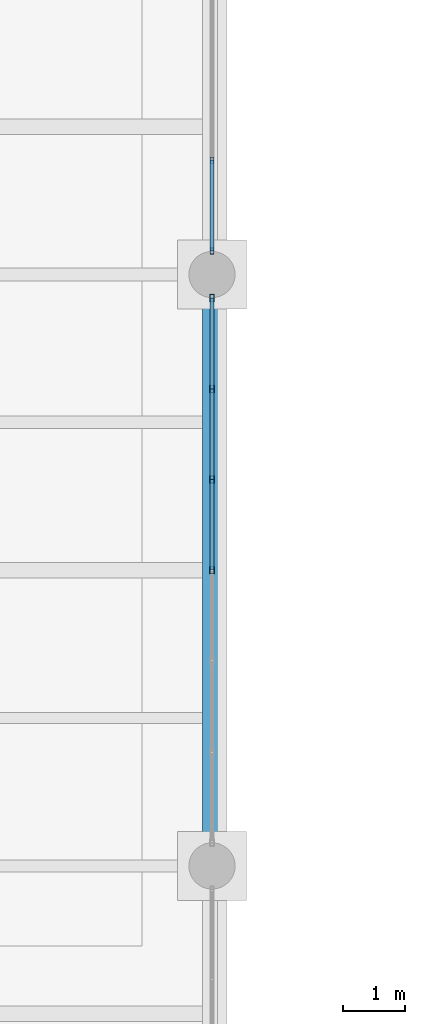
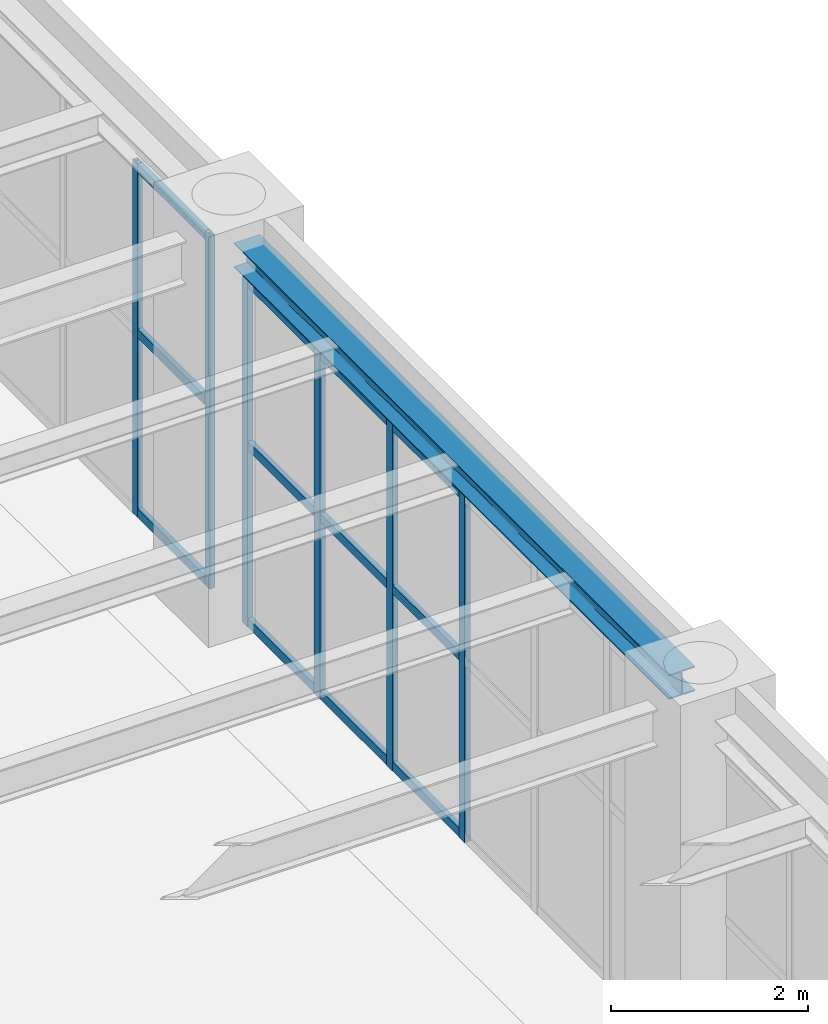
# One storey, part 52 of 174: 18 members, 1 beam, 2 elements without a shape of their own.
"""IFC4 building model written with IfcOpenShell, lengths in metres."""

from ifc_helpers import new_model, si_unit, direction, frame, origin, origin_2d, place, context, subcontext, project, spatial, hollow_rectangle, i_section, extrude, material, material_profile, profile_set, type_object, element, aggregate, save


model = new_model("IFC4")

# Units and contexts
model_context = context("Model", 3, precision=1e-05, world=origin(), true_north=direction((0.0, 1.0)))
body_context = subcontext(model_context, "Body", "Model", "MODEL_VIEW")
ifc_project = project(units=[si_unit("LENGTHUNIT", "METRE"), si_unit("AREAUNIT", "SQUARE_METRE"), si_unit("VOLUMEUNIT", "CUBIC_METRE"), si_unit("PLANEANGLEUNIT", "RADIAN"), si_unit("MASSUNIT", "GRAM", prefix="KILO")], contexts=[model_context])

# Site, building, storey
site_placement = place(None, origin())
site = spatial("IfcSite", under=ifc_project, at=site_placement, CompositionType="ELEMENT")
building_placement = place(site_placement, origin())
building = spatial("IfcBuilding", under=site, at=building_placement, Name="Mavantir Sound Aquarium", CompositionType="ELEMENT")
storey_placement = place(building_placement, frame((0.0, 0.0, 5.39990234375)))
storey = spatial("IfcBuildingStorey", under=building, at=storey_placement, Name="L01", CompositionType="ELEMENT", Elevation=5.39990234375)

# Beam
ifc_material_1 = material(Name="Structural Steel ASTM A992 Gr50", Category="steel")
ifc_material_profile_1 = material_profile(ifc_material_1, i_section(OverallWidth=0.304931640625, OverallDepth=0.30810546875, WebThickness=0.010009765625, FlangeThickness=0.015380859375, FilletRadius=0.014892578125, at=origin_2d()), Name="W310X97")
ifc_profile_set_1 = profile_set([ifc_material_profile_1], Name="Structural Steel ASTM A992 Gr50")
beam_type = type_object("IfcBeamType", Name="BM-W310X97-E", PredefinedType="SPANDREL", material=ifc_profile_set_1)
beam_placement = place(storey_placement, frame((64.800048828125, 50.77490234375, 4.6220703125), z_axis=(0.0, 1.0, 0.0), x_axis=(-1.0, 0.0, 0.0)))
element("IfcBeam", 1, at=beam_placement, inside=storey, type_object=beam_type, Name="L01 primary girder SS-31A 1204", PredefinedType="SPANDREL", context=body_context, shape_type="SweptSolid", body=[
    extrude(i_section(OverallWidth=0.304931640625, OverallDepth=0.30810546875, WebThickness=0.010009765625, FlangeThickness=0.015380859375, FilletRadius=0.014892578125, at=origin_2d()), origin(), (0.0, 0.0, 1.0), 8.85009765625),
])

# Curtain wall, members
ifc_material_2 = material(Name="Anodised Marine Aluminium and Low-E Glass", Category="aluminium")
curtain_wall_type_1 = type_object("IfcCurtainWallType", Name="CW-T09", PredefinedType="USERDEFINED", material=ifc_material_2)
curtain_wall_1_placement = place(storey_placement, origin())
curtain_wall_1 = element("IfcCurtainWall", 2, at=curtain_wall_1_placement, inside=storey, type_object=curtain_wall_type_1, Name="L01 unitised curtain wall CW-09 57", ObjectType="UNITISED GLAZING", PredefinedType="USERDEFINED")
ifc_material_3 = material(Name="Anodised Marine Aluminium 6063-T6", Category="aluminium")
ifc_material_profile_2 = material_profile(ifc_material_3, hollow_rectangle(XDim=0.06005859375, YDim=0.10009765625, WallThickness=0.00390625, at=origin_2d()), Name="ALU-MULLION-100X60")
ifc_profile_set_2 = profile_set([ifc_material_profile_2], Name="Anodised Marine Aluminium 6063-T6")
member_type_1 = type_object("IfcMemberType", Name="CW-MUL-100", PredefinedType="MULLION", material=ifc_profile_set_2)
member_1_placement = place(storey_placement, frame((64.800048828125, 60.383056640625, 0.0), z_axis=(0.0, 0.0, 1.0), x_axis=(1.0, 0.0, 0.0)))
member_1 = element("IfcMember", 3, at=member_1_placement, type_object=member_type_1, Name="CW-L01-057 vertical mullion 1", PredefinedType="MULLION", context=body_context, shape_type="SweptSolid", body=[
    extrude(hollow_rectangle(XDim=0.06005859375, YDim=0.10009765625, WallThickness=0.00390625, at=origin_2d()), origin(), (0.0, 0.0, 1.0), 4.39306640625),
])
member_2_placement = place(storey_placement, frame((64.800048828125, 61.855224609375, 0.0), z_axis=(0.0, 0.0, 1.0), x_axis=(1.0, 0.0, 0.0)))
member_2 = element("IfcMember", 4, at=member_2_placement, type_object=member_type_1, Name="CW-L01-057 vertical mullion 2", PredefinedType="MULLION", context=body_context, shape_type="SweptSolid", body=[
    extrude(hollow_rectangle(XDim=0.06005859375, YDim=0.10009765625, WallThickness=0.00390625, at=origin_2d()), origin(), (0.0, 0.0, 1.0), 4.39306640625),
])

curtain_wall_type_2 = type_object("IfcCurtainWallType", Name="CW-T08", PredefinedType="USERDEFINED", material=ifc_material_2)
curtain_wall_2_placement = place(storey_placement, origin())
curtain_wall_2 = element("IfcCurtainWall", 5, at=curtain_wall_2_placement, inside=storey, type_object=curtain_wall_type_2, Name="L01 unitised curtain wall CW-08 56", ObjectType="UNITISED GLAZING", PredefinedType="USERDEFINED")
ifc_material_profile_3 = material_profile(ifc_material_3, hollow_rectangle(XDim=0.06494140625, YDim=0.1201171875, WallThickness=0.00390625, at=origin_2d()), Name="ALU-MULLION-120X65")
ifc_profile_set_3 = profile_set([ifc_material_profile_3], Name="Anodised Marine Aluminium 6063-T6")
member_type_2 = type_object("IfcMemberType", Name="CW-MUL-120", PredefinedType="MULLION", material=ifc_profile_set_3)
member_3_placement = place(storey_placement, frame((64.800048828125, 55.199951171875, 0.0), z_axis=(0.0, 0.0, 1.0), x_axis=(1.0, 0.0, 0.0)))
member_3 = element("IfcMember", 6, at=member_3_placement, type_object=member_type_2, Name="CW-L01-056 vertical mullion 4", PredefinedType="MULLION", context=body_context, shape_type="SweptSolid", body=[
    extrude(hollow_rectangle(XDim=0.06494140625, YDim=0.1201171875, WallThickness=0.00390625, at=origin_2d()), origin(), (0.0, 0.0, 1.0), 4.3291015625),
])
member_4_placement = place(storey_placement, frame((64.800048828125, 56.67236328125, 0.0), z_axis=(0.0, 0.0, 1.0), x_axis=(1.0, 0.0, 0.0)))
member_4 = element("IfcMember", 7, at=member_4_placement, type_object=member_type_2, Name="CW-L01-056 vertical mullion 5", PredefinedType="MULLION", context=body_context, shape_type="SweptSolid", body=[
    extrude(hollow_rectangle(XDim=0.06494140625, YDim=0.1201171875, WallThickness=0.00390625, at=origin_2d()), origin(), (0.0, 0.0, 1.0), 4.3291015625),
])
member_5_placement = place(storey_placement, frame((64.800048828125, 58.144775390625, 0.0), z_axis=(0.0, 0.0, 1.0), x_axis=(1.0, 0.0, 0.0)))
member_5 = element("IfcMember", 8, at=member_5_placement, type_object=member_type_2, Name="CW-L01-056 vertical mullion 6", PredefinedType="MULLION", context=body_context, shape_type="SweptSolid", body=[
    extrude(hollow_rectangle(XDim=0.06494140625, YDim=0.1201171875, WallThickness=0.00390625, at=origin_2d()), origin(), (0.0, 0.0, 1.0), 4.3291015625),
])
member_6_placement = place(storey_placement, frame((64.800048828125, 59.616943359375, 0.0), z_axis=(0.0, 0.0, 1.0), x_axis=(1.0, 0.0, 0.0)))
member_6 = element("IfcMember", 9, at=member_6_placement, type_object=member_type_2, Name="CW-L01-056 vertical mullion 7", PredefinedType="MULLION", context=body_context, shape_type="SweptSolid", body=[
    extrude(hollow_rectangle(XDim=0.06494140625, YDim=0.1201171875, WallThickness=0.00390625, at=origin_2d()), origin(), (0.0, 0.0, 1.0), 4.3291015625),
])
ifc_material_profile_4 = material_profile(ifc_material_3, hollow_rectangle(XDim=0.06005859375, YDim=0.110107421875, WallThickness=0.00390625, at=origin_2d()), Name="ALU-TRANSOM-110X60")
ifc_profile_set_4 = profile_set([ifc_material_profile_4], Name="Anodised Marine Aluminium 6063-T6")
member_type_3 = type_object("IfcMemberType", Name="CW-TRN-110", PredefinedType="USERDEFINED", material=ifc_profile_set_4)
member_7_placement = place(storey_placement, frame((64.800048828125, 55.199951171875, 0.05517578125), z_axis=(0.0, 1.0, 0.0), x_axis=(-1.0, 0.0, 0.0)))
member_7 = element("IfcMember", 10, at=member_7_placement, type_object=member_type_3, Name="CW-L01-056 transom 4.1", ObjectType="TRANSOM", PredefinedType="USERDEFINED", context=body_context, shape_type="SweptSolid", body=[
    extrude(hollow_rectangle(XDim=0.06005859375, YDim=0.110107421875, WallThickness=0.00390625, at=origin_2d()), origin(), (0.0, 0.0, 1.0), 1.472412109375),
])
member_8_placement = place(storey_placement, frame((64.800048828125, 55.199951171875, 2.251220703125), z_axis=(0.0, 1.0, 0.0), x_axis=(-1.0, 0.0, 0.0)))
member_8 = element("IfcMember", 11, at=member_8_placement, type_object=member_type_3, Name="CW-L01-056 transom 4.2", ObjectType="TRANSOM", PredefinedType="USERDEFINED", context=body_context, shape_type="SweptSolid", body=[
    extrude(hollow_rectangle(XDim=0.06005859375, YDim=0.110107421875, WallThickness=0.00390625, at=origin_2d()), origin(), (0.0, 0.0, 1.0), 1.472412109375),
])
member_9_placement = place(storey_placement, frame((64.800048828125, 55.199951171875, 4.274169921875), z_axis=(0.0, 1.0, 0.0), x_axis=(-1.0, 0.0, 0.0)))
member_9 = element("IfcMember", 12, at=member_9_placement, type_object=member_type_3, Name="CW-L01-056 transom 4.3", ObjectType="TRANSOM", PredefinedType="USERDEFINED", context=body_context, shape_type="SweptSolid", body=[
    extrude(hollow_rectangle(XDim=0.06005859375, YDim=0.110107421875, WallThickness=0.00390625, at=origin_2d()), origin(), (0.0, 0.0, 1.0), 1.472412109375),
])
member_10_placement = place(storey_placement, frame((64.800048828125, 56.67236328125, 0.05517578125), z_axis=(0.0, 1.0, 0.0), x_axis=(-1.0, 0.0, 0.0)))
member_10 = element("IfcMember", 13, at=member_10_placement, type_object=member_type_3, Name="CW-L01-056 transom 5.1", ObjectType="TRANSOM", PredefinedType="USERDEFINED", context=body_context, shape_type="SweptSolid", body=[
    extrude(hollow_rectangle(XDim=0.06005859375, YDim=0.110107421875, WallThickness=0.00390625, at=origin_2d()), origin(), (0.0, 0.0, 1.0), 1.472412109375),
])
member_11_placement = place(storey_placement, frame((64.800048828125, 56.67236328125, 2.251220703125), z_axis=(0.0, 1.0, 0.0), x_axis=(-1.0, 0.0, 0.0)))
member_11 = element("IfcMember", 14, at=member_11_placement, type_object=member_type_3, Name="CW-L01-056 transom 5.2", ObjectType="TRANSOM", PredefinedType="USERDEFINED", context=body_context, shape_type="SweptSolid", body=[
    extrude(hollow_rectangle(XDim=0.06005859375, YDim=0.110107421875, WallThickness=0.00390625, at=origin_2d()), origin(), (0.0, 0.0, 1.0), 1.472412109375),
])
member_12_placement = place(storey_placement, frame((64.800048828125, 56.67236328125, 4.274169921875), z_axis=(0.0, 1.0, 0.0), x_axis=(-1.0, 0.0, 0.0)))
member_12 = element("IfcMember", 15, at=member_12_placement, type_object=member_type_3, Name="CW-L01-056 transom 5.3", ObjectType="TRANSOM", PredefinedType="USERDEFINED", context=body_context, shape_type="SweptSolid", body=[
    extrude(hollow_rectangle(XDim=0.06005859375, YDim=0.110107421875, WallThickness=0.00390625, at=origin_2d()), origin(), (0.0, 0.0, 1.0), 1.472412109375),
])
member_13_placement = place(storey_placement, frame((64.800048828125, 58.144775390625, 0.05517578125), z_axis=(0.0, 1.0, 0.0), x_axis=(-1.0, 0.0, 0.0)))
member_13 = element("IfcMember", 16, at=member_13_placement, type_object=member_type_3, Name="CW-L01-056 transom 6.1", ObjectType="TRANSOM", PredefinedType="USERDEFINED", context=body_context, shape_type="SweptSolid", body=[
    extrude(hollow_rectangle(XDim=0.06005859375, YDim=0.110107421875, WallThickness=0.00390625, at=origin_2d()), origin(), (0.0, 0.0, 1.0), 1.47216796875),
])
member_14_placement = place(storey_placement, frame((64.800048828125, 58.144775390625, 2.251220703125), z_axis=(0.0, 1.0, 0.0), x_axis=(-1.0, 0.0, 0.0)))
member_14 = element("IfcMember", 17, at=member_14_placement, type_object=member_type_3, Name="CW-L01-056 transom 6.2", ObjectType="TRANSOM", PredefinedType="USERDEFINED", context=body_context, shape_type="SweptSolid", body=[
    extrude(hollow_rectangle(XDim=0.06005859375, YDim=0.110107421875, WallThickness=0.00390625, at=origin_2d()), origin(), (0.0, 0.0, 1.0), 1.47216796875),
])
member_15_placement = place(storey_placement, frame((64.800048828125, 58.144775390625, 4.274169921875), z_axis=(0.0, 1.0, 0.0), x_axis=(-1.0, 0.0, 0.0)))
member_15 = element("IfcMember", 18, at=member_15_placement, type_object=member_type_3, Name="CW-L01-056 transom 6.3", ObjectType="TRANSOM", PredefinedType="USERDEFINED", context=body_context, shape_type="SweptSolid", body=[
    extrude(hollow_rectangle(XDim=0.06005859375, YDim=0.110107421875, WallThickness=0.00390625, at=origin_2d()), origin(), (0.0, 0.0, 1.0), 1.47216796875),
])
aggregate(curtain_wall_2, [member_3, member_4, member_5, member_6, member_7, member_8, member_9, member_10, member_11, member_12, member_13, member_14, member_15])

# Member
member_16_placement = place(storey_placement, frame((64.800048828125, 60.383056640625, 0.05517578125), z_axis=(0.0, 1.0, 0.0), x_axis=(-1.0, 0.0, 0.0)))
member_16 = element("IfcMember", 19, at=member_16_placement, type_object=member_type_3, Name="CW-L01-057 transom 1.1", ObjectType="TRANSOM", PredefinedType="USERDEFINED", context=body_context, shape_type="SweptSolid", body=[
    extrude(hollow_rectangle(XDim=0.06005859375, YDim=0.110107421875, WallThickness=0.00390625, at=origin_2d()), origin(), (0.0, 0.0, 1.0), 1.47216796875),
])

member_17_placement = place(storey_placement, frame((64.800048828125, 60.383056640625, 2.284423828125), z_axis=(0.0, 1.0, 0.0), x_axis=(-1.0, 0.0, 0.0)))
member_17 = element("IfcMember", 20, at=member_17_placement, type_object=member_type_3, Name="CW-L01-057 transom 1.2", ObjectType="TRANSOM", PredefinedType="USERDEFINED", context=body_context, shape_type="SweptSolid", body=[
    extrude(hollow_rectangle(XDim=0.06005859375, YDim=0.110107421875, WallThickness=0.00390625, at=origin_2d()), origin(), (0.0, 0.0, 1.0), 1.47216796875),
])

member_18_placement = place(storey_placement, frame((64.800048828125, 60.383056640625, 4.338134765625), z_axis=(0.0, 1.0, 0.0), x_axis=(-1.0, 0.0, 0.0)))
member_18 = element("IfcMember", 21, at=member_18_placement, type_object=member_type_3, Name="CW-L01-057 transom 1.3", ObjectType="TRANSOM", PredefinedType="USERDEFINED", context=body_context, shape_type="SweptSolid", body=[
    extrude(hollow_rectangle(XDim=0.06005859375, YDim=0.110107421875, WallThickness=0.00390625, at=origin_2d()), origin(), (0.0, 0.0, 1.0), 1.47216796875),
])

aggregate(curtain_wall_1, [member_1, member_2, member_16, member_17, member_18])

save(model, "model.ifc")
